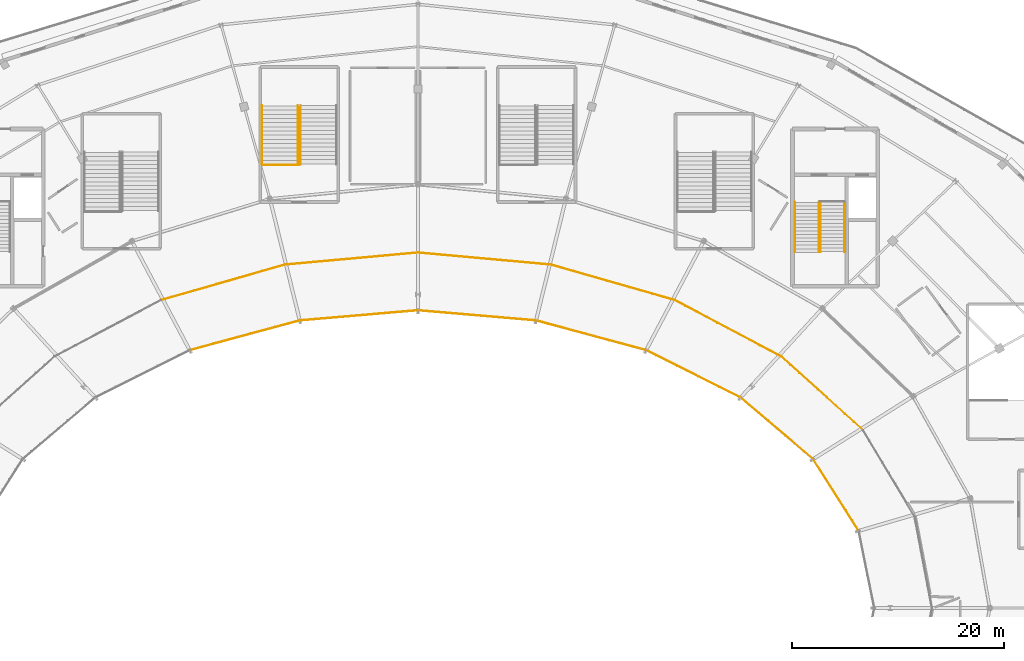
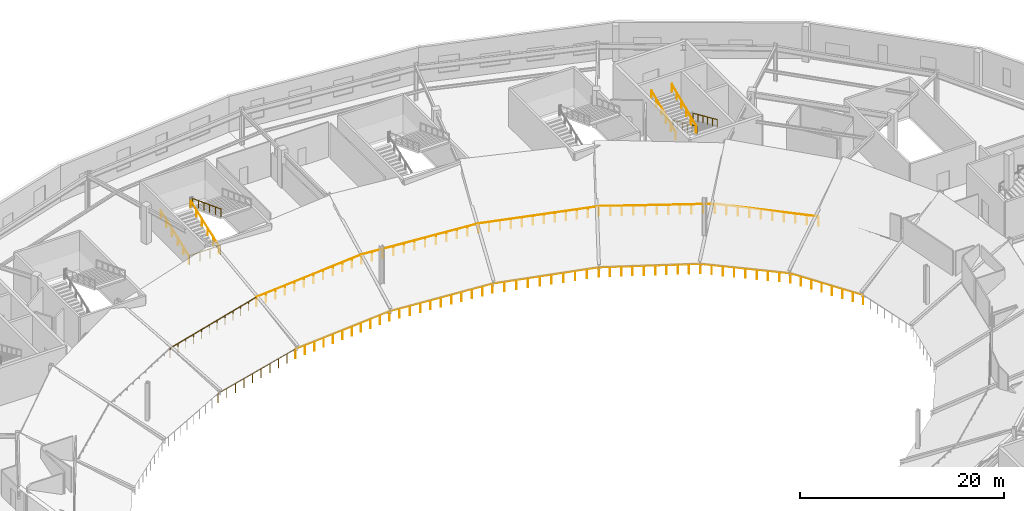
# One storey, part 56 of 63: 21 railings.
"""IFC4 building model written with IfcOpenShell, lengths in metres."""

from ifc_helpers import new_model, si_unit, direction, frame, origin, origin_2d, place, context, subcontext, project, spatial, circle, extrude, material, type_object, element, save


model = new_model("IFC4")

# Units and contexts
model_context = context("Model", 3, precision=1e-05, world=origin(), true_north=direction((0.0, 1.0)))
body_context = subcontext(model_context, "Body", "Model", "MODEL_VIEW")
ifc_project = project(units=[si_unit("LENGTHUNIT", "METRE"), si_unit("AREAUNIT", "SQUARE_METRE"), si_unit("VOLUMEUNIT", "CUBIC_METRE"), si_unit("PLANEANGLEUNIT", "RADIAN"), si_unit("MASSUNIT", "GRAM", prefix="KILO")], contexts=[model_context])

# Site, building, storey
site_placement = place(None, origin())
site = spatial("IfcSite", under=ifc_project, at=site_placement, CompositionType="ELEMENT")
building_placement = place(site_placement, origin())
building = spatial("IfcBuilding", under=site, at=building_placement, Name="Kalgoora Escarpment Arena", CompositionType="ELEMENT")
storey_placement = place(building_placement, frame((0.0, 0.0, 14.39990234375)))
storey = spatial("IfcBuildingStorey", under=building, at=storey_placement, Name="L03", CompositionType="ELEMENT", Elevation=14.39990234375)

# Railings
ifc_material_1 = material(Name="Galvanised & powdercoated tubular steel", Category="steel")
railing_type_1 = type_object("IfcRailingType", Name="RAL-GUARD-1120", PredefinedType="GUARDRAIL", material=ifc_material_1)
railing_1_placement = place(storey_placement, frame((77.7099609375, 105.81005859375, 0.0)))
element("IfcRailing", 1, at=railing_1_placement, inside=storey, type_object=railing_type_1, Name="ST10 L03 floor landing well guard", PredefinedType="GUARDRAIL", context=body_context, shape_type="SweptSolid", body=[
    extrude(circle(Radius=0.02392578125, at=origin_2d()), frame((0.0, 0.0, 1.09619140625), z_axis=(1.0, 0.0, 0.0), x_axis=(0.0, 1.0, 0.0)), (0.0, 0.0, 1.0), 3.489990234375),
    extrude(circle(Radius=0.02099609375, at=origin_2d()), origin(), (0.0, 0.0, 1.0), 1.072021484375),
    extrude(circle(Radius=0.02099609375, at=origin_2d()), frame((1.163330078125, 0.0, 0.0)), (0.0, 0.0, 1.0), 1.072021484375),
    extrude(circle(Radius=0.02099609375, at=origin_2d()), frame((2.32666015625, 0.0, 0.0)), (0.0, 0.0, 1.0), 1.072021484375),
    extrude(circle(Radius=0.02099609375, at=origin_2d()), frame((3.489990234375, 0.0, 0.0)), (0.0, 0.0, 1.0), 1.072021484375),
])
railing_2_placement = place(storey_placement, frame((134.445556640625, 80.77490234375, 0.0)))
element("IfcRailing", 2, at=railing_2_placement, inside=storey, type_object=railing_type_1, Name="L03 concourse bowl balustrade 03", PredefinedType="GUARDRAIL", context=body_context, shape_type="SweptSolid", body=[
    extrude(circle(Radius=0.02392578125, at=origin_2d()), frame((0.0, 0.0, 1.09619140625), z_axis=(-0.743080153263, 0.66920242515, 0.0), x_axis=(-0.66920242515, -0.743080153263, 0.0)), (0.0, 0.0, 1.0), 10.38330078125),
    extrude(circle(Radius=0.02099609375, at=origin_2d()), origin(), (0.0, 0.0, 1.0), 1.072021484375),
    extrude(circle(Radius=0.02099609375, at=origin_2d()), frame((-0.857177734375, 0.77197265625, 0.0)), (0.0, 0.0, 1.0), 1.072021484375),
    extrude(circle(Radius=0.02099609375, at=origin_2d()), frame((-1.714599609375, 1.544189453125, 0.0)), (0.0, 0.0, 1.0), 1.072021484375),
    extrude(circle(Radius=0.02099609375, at=origin_2d()), frame((-2.57177734375, 2.316162109375, 0.0)), (0.0, 0.0, 1.0), 1.072021484375),
    extrude(circle(Radius=0.02099609375, at=origin_2d()), frame((-3.42919921875, 3.088134765625, 0.0)), (0.0, 0.0, 1.0), 1.072021484375),
    extrude(circle(Radius=0.02099609375, at=origin_2d()), frame((-4.286376953125, 3.8603515625, 0.0)), (0.0, 0.0, 1.0), 1.072021484375),
    extrude(circle(Radius=0.02099609375, at=origin_2d()), frame((-5.143798828125, 4.63232421875, 0.0)), (0.0, 0.0, 1.0), 1.072021484375),
    extrude(circle(Radius=0.02099609375, at=origin_2d()), frame((-6.0009765625, 5.404296875, 0.0)), (0.0, 0.0, 1.0), 1.072021484375),
    extrude(circle(Radius=0.02099609375, at=origin_2d()), frame((-6.8583984375, 6.176513671875, 0.0)), (0.0, 0.0, 1.0), 1.072021484375),
    extrude(circle(Radius=0.02099609375, at=origin_2d()), frame((-7.715576171875, 6.948486328125, 0.0)), (0.0, 0.0, 1.0), 1.072021484375),
])
railing_3_placement = place(storey_placement, frame((126.72998046875, 87.723388671875, 0.0)))
element("IfcRailing", 3, at=railing_3_placement, inside=storey, type_object=railing_type_1, Name="L03 concourse bowl balustrade 04", PredefinedType="GUARDRAIL", context=body_context, shape_type="SweptSolid", body=[
    extrude(circle(Radius=0.02392578125, at=origin_2d()), frame((0.0, 0.0, 1.09619140625), z_axis=(-0.883475688989, 0.468477007936, 0.0), x_axis=(-0.468477007936, -0.883475688989, 0.0)), (0.0, 0.0, 1.0), 11.381103515625),
    extrude(circle(Radius=0.02099609375, at=origin_2d()), origin(), (0.0, 0.0, 1.0), 1.072021484375),
    extrude(circle(Radius=0.02099609375, at=origin_2d()), frame((-1.00537109375, 0.533203125, 0.0)), (0.0, 0.0, 1.0), 1.072021484375),
    extrude(circle(Radius=0.02099609375, at=origin_2d()), frame((-2.010986328125, 1.06640625, 0.0)), (0.0, 0.0, 1.0), 1.072021484375),
    extrude(circle(Radius=0.02099609375, at=origin_2d()), frame((-3.0166015625, 1.599609375, 0.0)), (0.0, 0.0, 1.0), 1.072021484375),
    extrude(circle(Radius=0.02099609375, at=origin_2d()), frame((-4.02197265625, 2.1328125, 0.0)), (0.0, 0.0, 1.0), 1.072021484375),
    extrude(circle(Radius=0.02099609375, at=origin_2d()), frame((-5.02734375, 2.666015625, 0.0)), (0.0, 0.0, 1.0), 1.072021484375),
    extrude(circle(Radius=0.02099609375, at=origin_2d()), frame((-6.032958984375, 3.198974609375, 0.0)), (0.0, 0.0, 1.0), 1.072021484375),
    extrude(circle(Radius=0.02099609375, at=origin_2d()), frame((-7.038330078125, 3.732177734375, 0.0)), (0.0, 0.0, 1.0), 1.072021484375),
    extrude(circle(Radius=0.02099609375, at=origin_2d()), frame((-8.0439453125, 4.265380859375, 0.0)), (0.0, 0.0, 1.0), 1.072021484375),
    extrude(circle(Radius=0.02099609375, at=origin_2d()), frame((-9.04931640625, 4.798583984375, 0.0)), (0.0, 0.0, 1.0), 1.072021484375),
    extrude(circle(Radius=0.02099609375, at=origin_2d()), frame((-10.054931640625, 5.331787109375, 0.0)), (0.0, 0.0, 1.0), 1.072021484375),
])
railing_4_placement = place(storey_placement, frame((116.675048828125, 93.05517578125, 0.0)))
element("IfcRailing", 4, at=railing_4_placement, inside=storey, type_object=railing_type_1, Name="L03 concourse bowl balustrade 05", PredefinedType="GUARDRAIL", context=body_context, shape_type="SweptSolid", body=[
    extrude(circle(Radius=0.02392578125, at=origin_2d()), frame((0.0, 0.0, 1.09619140625), z_axis=(-0.96139221915, 0.275181759857, 0.0), x_axis=(-0.275181759857, -0.96139221915, 0.0)), (0.0, 0.0, 1.0), 12.179443359375),
    extrude(circle(Radius=0.02099609375, at=origin_2d()), origin(), (0.0, 0.0, 1.0), 1.072021484375),
    extrude(circle(Radius=0.02099609375, at=origin_2d()), frame((-1.064453125, 0.3046875, 0.0)), (0.0, 0.0, 1.0), 1.072021484375),
    extrude(circle(Radius=0.02099609375, at=origin_2d()), frame((-2.12890625, 0.609375, 0.0)), (0.0, 0.0, 1.0), 1.072021484375),
    extrude(circle(Radius=0.02099609375, at=origin_2d()), frame((-3.193359375, 0.9140625, 0.0)), (0.0, 0.0, 1.0), 1.072021484375),
    extrude(circle(Radius=0.02099609375, at=origin_2d()), frame((-4.2578125, 1.21875, 0.0)), (0.0, 0.0, 1.0), 1.072021484375),
    extrude(circle(Radius=0.02099609375, at=origin_2d()), frame((-5.322265625, 1.5234375, 0.0)), (0.0, 0.0, 1.0), 1.072021484375),
    extrude(circle(Radius=0.02099609375, at=origin_2d()), frame((-6.386962890625, 1.828125, 0.0)), (0.0, 0.0, 1.0), 1.072021484375),
    extrude(circle(Radius=0.02099609375, at=origin_2d()), frame((-7.451416015625, 2.1328125, 0.0)), (0.0, 0.0, 1.0), 1.072021484375),
    extrude(circle(Radius=0.02099609375, at=origin_2d()), frame((-8.515869140625, 2.4375, 0.0)), (0.0, 0.0, 1.0), 1.072021484375),
    extrude(circle(Radius=0.02099609375, at=origin_2d()), frame((-9.580322265625, 2.7421875, 0.0)), (0.0, 0.0, 1.0), 1.072021484375),
    extrude(circle(Radius=0.02099609375, at=origin_2d()), frame((-10.644775390625, 3.046875, 0.0)), (0.0, 0.0, 1.0), 1.072021484375),
    extrude(circle(Radius=0.02099609375, at=origin_2d()), frame((-11.709228515625, 3.3515625, 0.0)), (0.0, 0.0, 1.0), 1.072021484375),
])
railing_5_placement = place(storey_placement, frame((104.9658203125, 96.40673828125, 0.0)))
element("IfcRailing", 5, at=railing_5_placement, inside=storey, type_object=railing_type_1, Name="L03 concourse bowl balustrade 06", PredefinedType="GUARDRAIL", context=body_context, shape_type="SweptSolid", body=[
    extrude(circle(Radius=0.02392578125, at=origin_2d()), frame((0.0, 0.0, 1.09619140625), z_axis=(-0.995886383958, 0.09061076231, 0.0), x_axis=(-0.09061076231, -0.995886383958, 0.0)), (0.0, 0.0, 1.0), 12.617919921875),
    extrude(circle(Radius=0.02099609375, at=origin_2d()), origin(), (0.0, 0.0, 1.0), 1.072021484375),
    extrude(circle(Radius=0.02099609375, at=origin_2d()), frame((-1.142333984375, 0.10400390625, 0.0)), (0.0, 0.0, 1.0), 1.072021484375),
    extrude(circle(Radius=0.02099609375, at=origin_2d()), frame((-2.28466796875, 0.207763671875, 0.0)), (0.0, 0.0, 1.0), 1.072021484375),
    extrude(circle(Radius=0.02099609375, at=origin_2d()), frame((-3.427001953125, 0.311767578125, 0.0)), (0.0, 0.0, 1.0), 1.072021484375),
    extrude(circle(Radius=0.02099609375, at=origin_2d()), frame((-4.5693359375, 0.415771484375, 0.0)), (0.0, 0.0, 1.0), 1.072021484375),
    extrude(circle(Radius=0.02099609375, at=origin_2d()), frame((-5.711669921875, 0.519775390625, 0.0)), (0.0, 0.0, 1.0), 1.072021484375),
    extrude(circle(Radius=0.02099609375, at=origin_2d()), frame((-6.854248046875, 0.62353515625, 0.0)), (0.0, 0.0, 1.0), 1.072021484375),
    extrude(circle(Radius=0.02099609375, at=origin_2d()), frame((-7.99658203125, 0.7275390625, 0.0)), (0.0, 0.0, 1.0), 1.072021484375),
    extrude(circle(Radius=0.02099609375, at=origin_2d()), frame((-9.138916015625, 0.83154296875, 0.0)), (0.0, 0.0, 1.0), 1.072021484375),
    extrude(circle(Radius=0.02099609375, at=origin_2d()), frame((-10.28125, 0.935546875, 0.0)), (0.0, 0.0, 1.0), 1.072021484375),
    extrude(circle(Radius=0.02099609375, at=origin_2d()), frame((-11.423583984375, 1.039306640625, 0.0)), (0.0, 0.0, 1.0), 1.072021484375),
    extrude(circle(Radius=0.02099609375, at=origin_2d()), frame((-12.56591796875, 1.143310546875, 0.0)), (0.0, 0.0, 1.0), 1.072021484375),
])
railing_6_placement = place(storey_placement, frame((92.39990234375, 97.550048828125, 0.0)))
element("IfcRailing", 6, at=railing_6_placement, inside=storey, type_object=railing_type_1, Name="L03 concourse bowl balustrade 07", PredefinedType="GUARDRAIL", context=body_context, shape_type="SweptSolid", body=[
    extrude(circle(Radius=0.02392578125, at=origin_2d()), frame((0.0, 0.0, 1.09619140625), z_axis=(-0.995886225094, -0.090612508347, 0.0), x_axis=(0.090612508347, -0.995886225094, 0.0)), (0.0, 0.0, 1.0), 12.61767578125),
    extrude(circle(Radius=0.02099609375, at=origin_2d()), origin(), (0.0, 0.0, 1.0), 1.072021484375),
    extrude(circle(Radius=0.02099609375, at=origin_2d()), frame((-1.142333984375, -0.10400390625, 0.0)), (0.0, 0.0, 1.0), 1.072021484375),
    extrude(circle(Radius=0.02099609375, at=origin_2d()), frame((-2.28466796875, -0.207763671875, 0.0)), (0.0, 0.0, 1.0), 1.072021484375),
    extrude(circle(Radius=0.02099609375, at=origin_2d()), frame((-3.427001953125, -0.311767578125, 0.0)), (0.0, 0.0, 1.0), 1.072021484375),
    extrude(circle(Radius=0.02099609375, at=origin_2d()), frame((-4.5693359375, -0.415771484375, 0.0)), (0.0, 0.0, 1.0), 1.072021484375),
    extrude(circle(Radius=0.02099609375, at=origin_2d()), frame((-5.711669921875, -0.519775390625, 0.0)), (0.0, 0.0, 1.0), 1.072021484375),
    extrude(circle(Radius=0.02099609375, at=origin_2d()), frame((-6.85400390625, -0.62353515625, 0.0)), (0.0, 0.0, 1.0), 1.072021484375),
    extrude(circle(Radius=0.02099609375, at=origin_2d()), frame((-7.996337890625, -0.7275390625, 0.0)), (0.0, 0.0, 1.0), 1.072021484375),
    extrude(circle(Radius=0.02099609375, at=origin_2d()), frame((-9.138671875, -0.83154296875, 0.0)), (0.0, 0.0, 1.0), 1.072021484375),
    extrude(circle(Radius=0.02099609375, at=origin_2d()), frame((-10.281005859375, -0.935546875, 0.0)), (0.0, 0.0, 1.0), 1.072021484375),
    extrude(circle(Radius=0.02099609375, at=origin_2d()), frame((-11.42333984375, -1.039306640625, 0.0)), (0.0, 0.0, 1.0), 1.072021484375),
    extrude(circle(Radius=0.02099609375, at=origin_2d()), frame((-12.565673828125, -1.143310546875, 0.0)), (0.0, 0.0, 1.0), 1.072021484375),
])
railing_7_placement = place(storey_placement, frame((79.834228515625, 96.40673828125, 0.0)))
element("IfcRailing", 7, at=railing_7_placement, inside=storey, type_object=railing_type_1, Name="L03 concourse bowl balustrade 08", PredefinedType="GUARDRAIL", context=body_context, shape_type="SweptSolid", body=[
    extrude(circle(Radius=0.02392578125, at=origin_2d()), frame((0.0, 0.0, 1.09619140625), z_axis=(-0.96139221915, -0.275181759857, 0.0), x_axis=(0.275181759857, -0.96139221915, 0.0)), (0.0, 0.0, 1.0), 12.179443359375),
    extrude(circle(Radius=0.02099609375, at=origin_2d()), origin(), (0.0, 0.0, 1.0), 1.072021484375),
    extrude(circle(Radius=0.02099609375, at=origin_2d()), frame((-1.064453125, -0.3046875, 0.0)), (0.0, 0.0, 1.0), 1.072021484375),
    extrude(circle(Radius=0.02099609375, at=origin_2d()), frame((-2.12890625, -0.609375, 0.0)), (0.0, 0.0, 1.0), 1.072021484375),
    extrude(circle(Radius=0.02099609375, at=origin_2d()), frame((-3.193359375, -0.9140625, 0.0)), (0.0, 0.0, 1.0), 1.072021484375),
    extrude(circle(Radius=0.02099609375, at=origin_2d()), frame((-4.2578125, -1.21875, 0.0)), (0.0, 0.0, 1.0), 1.072021484375),
    extrude(circle(Radius=0.02099609375, at=origin_2d()), frame((-5.322265625, -1.5234375, 0.0)), (0.0, 0.0, 1.0), 1.072021484375),
    extrude(circle(Radius=0.02099609375, at=origin_2d()), frame((-6.386962890625, -1.828125, 0.0)), (0.0, 0.0, 1.0), 1.072021484375),
    extrude(circle(Radius=0.02099609375, at=origin_2d()), frame((-7.451416015625, -2.1328125, 0.0)), (0.0, 0.0, 1.0), 1.072021484375),
    extrude(circle(Radius=0.02099609375, at=origin_2d()), frame((-8.515869140625, -2.4375, 0.0)), (0.0, 0.0, 1.0), 1.072021484375),
    extrude(circle(Radius=0.02099609375, at=origin_2d()), frame((-9.580322265625, -2.7421875, 0.0)), (0.0, 0.0, 1.0), 1.072021484375),
    extrude(circle(Radius=0.02099609375, at=origin_2d()), frame((-10.644775390625, -3.046875, 0.0)), (0.0, 0.0, 1.0), 1.072021484375),
    extrude(circle(Radius=0.02099609375, at=origin_2d()), frame((-11.709228515625, -3.3515625, 0.0)), (0.0, 0.0, 1.0), 1.072021484375),
])
railing_8_placement = place(storey_placement, frame((134.031494140625, 71.272705078125, -3.5)))
element("IfcRailing", 8, at=railing_8_placement, inside=storey, type_object=railing_type_1, Name="Upper tier cantilevered front guard 02", PredefinedType="GUARDRAIL", context=body_context, shape_type="SweptSolid", body=[
    extrude(circle(Radius=0.02392578125, at=origin_2d()), frame((0.0, 0.0, 1.09619140625), z_axis=(-0.536259550961, 0.844053134585, 0.0), x_axis=(-0.844053134585, -0.536259550961, 0.0)), (0.0, 0.0, 1.0), 8.029541015625),
    extrude(circle(Radius=0.02099609375, at=origin_2d()), origin(), (0.0, 0.0, 1.0), 1.072021484375),
    extrude(circle(Radius=0.02099609375, at=origin_2d()), frame((-0.615234375, 0.96826171875, 0.0)), (0.0, 0.0, 1.0), 1.072021484375),
    extrude(circle(Radius=0.02099609375, at=origin_2d()), frame((-1.230224609375, 1.936279296875, 0.0)), (0.0, 0.0, 1.0), 1.072021484375),
    extrude(circle(Radius=0.02099609375, at=origin_2d()), frame((-1.845458984375, 2.904541015625, 0.0)), (0.0, 0.0, 1.0), 1.072021484375),
    extrude(circle(Radius=0.02099609375, at=origin_2d()), frame((-2.46044921875, 3.872802734375, 0.0)), (0.0, 0.0, 1.0), 1.072021484375),
    extrude(circle(Radius=0.02099609375, at=origin_2d()), frame((-3.07568359375, 4.841064453125, 0.0)), (0.0, 0.0, 1.0), 1.072021484375),
    extrude(circle(Radius=0.02099609375, at=origin_2d()), frame((-3.690673828125, 5.80908203125, 0.0)), (0.0, 0.0, 1.0), 1.072021484375),
    extrude(circle(Radius=0.02099609375, at=origin_2d()), frame((-4.305908203125, 6.77734375, 0.0)), (0.0, 0.0, 1.0), 1.072021484375),
])
railing_9_placement = place(storey_placement, frame((129.7255859375, 78.050048828125, -3.5)))
element("IfcRailing", 9, at=railing_9_placement, inside=storey, type_object=railing_type_1, Name="Upper tier cantilevered front guard 03", PredefinedType="GUARDRAIL", context=body_context, shape_type="SweptSolid", body=[
    extrude(circle(Radius=0.02392578125, at=origin_2d()), frame((0.0, 0.0, 1.09619140625), z_axis=(-0.762069994215, 0.647494651652, 0.0), x_axis=(-0.647494651652, -0.762069994215, 0.0)), (0.0, 0.0, 1.0), 8.98779296875),
    extrude(circle(Radius=0.02099609375, at=origin_2d()), origin(), (0.0, 0.0, 1.0), 1.072021484375),
    extrude(circle(Radius=0.02099609375, at=origin_2d()), frame((-0.856201171875, 0.7275390625, 0.0)), (0.0, 0.0, 1.0), 1.072021484375),
    extrude(circle(Radius=0.02099609375, at=origin_2d()), frame((-1.71240234375, 1.454833984375, 0.0)), (0.0, 0.0, 1.0), 1.072021484375),
    extrude(circle(Radius=0.02099609375, at=origin_2d()), frame((-2.568603515625, 2.182373046875, 0.0)), (0.0, 0.0, 1.0), 1.072021484375),
    extrude(circle(Radius=0.02099609375, at=origin_2d()), frame((-3.4248046875, 2.90966796875, 0.0)), (0.0, 0.0, 1.0), 1.072021484375),
    extrude(circle(Radius=0.02099609375, at=origin_2d()), frame((-4.28076171875, 3.63720703125, 0.0)), (0.0, 0.0, 1.0), 1.072021484375),
    extrude(circle(Radius=0.02099609375, at=origin_2d()), frame((-5.136962890625, 4.36474609375, 0.0)), (0.0, 0.0, 1.0), 1.072021484375),
    extrude(circle(Radius=0.02099609375, at=origin_2d()), frame((-5.9931640625, 5.092041015625, 0.0)), (0.0, 0.0, 1.0), 1.072021484375),
    extrude(circle(Radius=0.02099609375, at=origin_2d()), frame((-6.849365234375, 5.819580078125, 0.0)), (0.0, 0.0, 1.0), 1.072021484375),
])
railing_10_placement = place(storey_placement, frame((122.876220703125, 83.86962890625, -3.5)))
element("IfcRailing", 10, at=railing_10_placement, inside=storey, type_object=railing_type_1, Name="Upper tier cantilevered front guard 04", PredefinedType="GUARDRAIL", context=body_context, shape_type="SweptSolid", body=[
    extrude(circle(Radius=0.02392578125, at=origin_2d()), frame((0.0, 0.0, 1.09619140625), z_axis=(-0.894329327099, 0.447409269787, 0.0), x_axis=(-0.447409269787, -0.894329327099, 0.0)), (0.0, 0.0, 1.0), 9.98095703125),
    extrude(circle(Radius=0.02099609375, at=origin_2d()), origin(), (0.0, 0.0, 1.0), 1.072021484375),
    extrude(circle(Radius=0.02099609375, at=origin_2d()), frame((-0.99169921875, 0.49609375, 0.0)), (0.0, 0.0, 1.0), 1.072021484375),
    extrude(circle(Radius=0.02099609375, at=origin_2d()), frame((-1.983642578125, 0.992431640625, 0.0)), (0.0, 0.0, 1.0), 1.072021484375),
    extrude(circle(Radius=0.02099609375, at=origin_2d()), frame((-2.975341796875, 1.488525390625, 0.0)), (0.0, 0.0, 1.0), 1.072021484375),
    extrude(circle(Radius=0.02099609375, at=origin_2d()), frame((-3.96728515625, 1.984619140625, 0.0)), (0.0, 0.0, 1.0), 1.072021484375),
    extrude(circle(Radius=0.02099609375, at=origin_2d()), frame((-4.958984375, 2.48095703125, 0.0)), (0.0, 0.0, 1.0), 1.072021484375),
    extrude(circle(Radius=0.02099609375, at=origin_2d()), frame((-5.950927734375, 2.97705078125, 0.0)), (0.0, 0.0, 1.0), 1.072021484375),
    extrude(circle(Radius=0.02099609375, at=origin_2d()), frame((-6.942626953125, 3.47314453125, 0.0)), (0.0, 0.0, 1.0), 1.072021484375),
    extrude(circle(Radius=0.02099609375, at=origin_2d()), frame((-7.9345703125, 3.969482421875, 0.0)), (0.0, 0.0, 1.0), 1.072021484375),
    extrude(circle(Radius=0.02099609375, at=origin_2d()), frame((-8.92626953125, 4.465576171875, 0.0)), (0.0, 0.0, 1.0), 1.072021484375),
])
railing_11_placement = place(storey_placement, frame((113.949951171875, 88.335205078125, -3.5)))
element("IfcRailing", 11, at=railing_11_placement, inside=storey, type_object=railing_type_1, Name="Upper tier cantilevered front guard 05", PredefinedType="GUARDRAIL", context=body_context, shape_type="SweptSolid", body=[
    extrude(circle(Radius=0.02392578125, at=origin_2d()), frame((0.0, 0.0, 1.09619140625), z_axis=(-0.9654107635, 0.260733691183, 0.0), x_axis=(-0.260733691183, -0.9654107635, 0.0)), (0.0, 0.0, 1.0), 10.76708984375),
    extrude(circle(Radius=0.02099609375, at=origin_2d()), origin(), (0.0, 0.0, 1.0), 1.072021484375),
    extrude(circle(Radius=0.02099609375, at=origin_2d()), frame((-1.155029296875, 0.31201171875, 0.0)), (0.0, 0.0, 1.0), 1.072021484375),
    extrude(circle(Radius=0.02099609375, at=origin_2d()), frame((-2.31005859375, 0.623779296875, 0.0)), (0.0, 0.0, 1.0), 1.072021484375),
    extrude(circle(Radius=0.02099609375, at=origin_2d()), frame((-3.46484375, 0.935791015625, 0.0)), (0.0, 0.0, 1.0), 1.072021484375),
    extrude(circle(Radius=0.02099609375, at=origin_2d()), frame((-4.619873046875, 1.247802734375, 0.0)), (0.0, 0.0, 1.0), 1.072021484375),
    extrude(circle(Radius=0.02099609375, at=origin_2d()), frame((-5.77490234375, 1.5595703125, 0.0)), (0.0, 0.0, 1.0), 1.072021484375),
    extrude(circle(Radius=0.02099609375, at=origin_2d()), frame((-6.929931640625, 1.87158203125, 0.0)), (0.0, 0.0, 1.0), 1.072021484375),
    extrude(circle(Radius=0.02099609375, at=origin_2d()), frame((-8.084716796875, 2.18359375, 0.0)), (0.0, 0.0, 1.0), 1.072021484375),
    extrude(circle(Radius=0.02099609375, at=origin_2d()), frame((-9.23974609375, 2.495361328125, 0.0)), (0.0, 0.0, 1.0), 1.072021484375),
    extrude(circle(Radius=0.02099609375, at=origin_2d()), frame((-10.394775390625, 2.807373046875, 0.0)), (0.0, 0.0, 1.0), 1.072021484375),
])
railing_12_placement = place(storey_placement, frame((103.55517578125, 91.142578125, -3.5)))
element("IfcRailing", 12, at=railing_12_placement, inside=storey, type_object=railing_type_1, Name="Upper tier cantilevered front guard 06", PredefinedType="GUARDRAIL", context=body_context, shape_type="SweptSolid", body=[
    extrude(circle(Radius=0.02392578125, at=origin_2d()), frame((0.0, 0.0, 1.09619140625), z_axis=(-0.996336357543, 0.085521123923, 0.0), x_axis=(-0.085521123923, -0.996336357543, 0.0)), (0.0, 0.0, 1.0), 11.1962890625),
    extrude(circle(Radius=0.02099609375, at=origin_2d()), origin(), (0.0, 0.0, 1.0), 1.072021484375),
    extrude(circle(Radius=0.02099609375, at=origin_2d()), frame((-1.115478515625, 0.095703125, 0.0)), (0.0, 0.0, 1.0), 1.072021484375),
    extrude(circle(Radius=0.02099609375, at=origin_2d()), frame((-2.23095703125, 0.19140625, 0.0)), (0.0, 0.0, 1.0), 1.072021484375),
    extrude(circle(Radius=0.02099609375, at=origin_2d()), frame((-3.3466796875, 0.287353515625, 0.0)), (0.0, 0.0, 1.0), 1.072021484375),
    extrude(circle(Radius=0.02099609375, at=origin_2d()), frame((-4.462158203125, 0.383056640625, 0.0)), (0.0, 0.0, 1.0), 1.072021484375),
    extrude(circle(Radius=0.02099609375, at=origin_2d()), frame((-5.57763671875, 0.478759765625, 0.0)), (0.0, 0.0, 1.0), 1.072021484375),
    extrude(circle(Radius=0.02099609375, at=origin_2d()), frame((-6.693115234375, 0.574462890625, 0.0)), (0.0, 0.0, 1.0), 1.072021484375),
    extrude(circle(Radius=0.02099609375, at=origin_2d()), frame((-7.80859375, 0.670166015625, 0.0)), (0.0, 0.0, 1.0), 1.072021484375),
    extrude(circle(Radius=0.02099609375, at=origin_2d()), frame((-8.92431640625, 0.76611328125, 0.0)), (0.0, 0.0, 1.0), 1.072021484375),
    extrude(circle(Radius=0.02099609375, at=origin_2d()), frame((-10.039794921875, 0.86181640625, 0.0)), (0.0, 0.0, 1.0), 1.072021484375),
    extrude(circle(Radius=0.02099609375, at=origin_2d()), frame((-11.1552734375, 0.95751953125, 0.0)), (0.0, 0.0, 1.0), 1.072021484375),
])
railing_13_placement = place(storey_placement, frame((92.39990234375, 92.10009765625, -3.5)))
element("IfcRailing", 13, at=railing_13_placement, inside=storey, type_object=railing_type_1, Name="Upper tier cantilevered front guard 07", PredefinedType="GUARDRAIL", context=body_context, shape_type="SweptSolid", body=[
    extrude(circle(Radius=0.02392578125, at=origin_2d()), frame((0.0, 0.0, 1.09619140625), z_axis=(-0.996336198056, -0.085522981961, 0.0), x_axis=(0.085522981961, -0.996336198056, 0.0)), (0.0, 0.0, 1.0), 11.196044921875),
    extrude(circle(Radius=0.02099609375, at=origin_2d()), origin(), (0.0, 0.0, 1.0), 1.072021484375),
    extrude(circle(Radius=0.02099609375, at=origin_2d()), frame((-1.115478515625, -0.095703125, 0.0)), (0.0, 0.0, 1.0), 1.072021484375),
    extrude(circle(Radius=0.02099609375, at=origin_2d()), frame((-2.23095703125, -0.19140625, 0.0)), (0.0, 0.0, 1.0), 1.072021484375),
    extrude(circle(Radius=0.02099609375, at=origin_2d()), frame((-3.346435546875, -0.287353515625, 0.0)), (0.0, 0.0, 1.0), 1.072021484375),
    extrude(circle(Radius=0.02099609375, at=origin_2d()), frame((-4.4619140625, -0.383056640625, 0.0)), (0.0, 0.0, 1.0), 1.072021484375),
    extrude(circle(Radius=0.02099609375, at=origin_2d()), frame((-5.57763671875, -0.478759765625, 0.0)), (0.0, 0.0, 1.0), 1.072021484375),
    extrude(circle(Radius=0.02099609375, at=origin_2d()), frame((-6.693115234375, -0.574462890625, 0.0)), (0.0, 0.0, 1.0), 1.072021484375),
    extrude(circle(Radius=0.02099609375, at=origin_2d()), frame((-7.80859375, -0.670166015625, 0.0)), (0.0, 0.0, 1.0), 1.072021484375),
    extrude(circle(Radius=0.02099609375, at=origin_2d()), frame((-8.924072265625, -0.76611328125, 0.0)), (0.0, 0.0, 1.0), 1.072021484375),
    extrude(circle(Radius=0.02099609375, at=origin_2d()), frame((-10.03955078125, -0.86181640625, 0.0)), (0.0, 0.0, 1.0), 1.072021484375),
    extrude(circle(Radius=0.02099609375, at=origin_2d()), frame((-11.155029296875, -0.95751953125, 0.0)), (0.0, 0.0, 1.0), 1.072021484375),
])
railing_14_placement = place(storey_placement, frame((81.244873046875, 91.142578125, -3.5)))
element("IfcRailing", 14, at=railing_14_placement, inside=storey, type_object=railing_type_1, Name="Upper tier cantilevered front guard 08", PredefinedType="GUARDRAIL", context=body_context, shape_type="SweptSolid", body=[
    extrude(circle(Radius=0.02392578125, at=origin_2d()), frame((0.0, 0.0, 1.09619140625), z_axis=(-0.9654107635, -0.260733691183, 0.0), x_axis=(0.260733691183, -0.9654107635, 0.0)), (0.0, 0.0, 1.0), 10.76708984375),
    extrude(circle(Radius=0.02099609375, at=origin_2d()), origin(), (0.0, 0.0, 1.0), 1.072021484375),
    extrude(circle(Radius=0.02099609375, at=origin_2d()), frame((-1.155029296875, -0.31201171875, 0.0)), (0.0, 0.0, 1.0), 1.072021484375),
    extrude(circle(Radius=0.02099609375, at=origin_2d()), frame((-2.31005859375, -0.623779296875, 0.0)), (0.0, 0.0, 1.0), 1.072021484375),
    extrude(circle(Radius=0.02099609375, at=origin_2d()), frame((-3.46484375, -0.935791015625, 0.0)), (0.0, 0.0, 1.0), 1.072021484375),
    extrude(circle(Radius=0.02099609375, at=origin_2d()), frame((-4.619873046875, -1.247802734375, 0.0)), (0.0, 0.0, 1.0), 1.072021484375),
    extrude(circle(Radius=0.02099609375, at=origin_2d()), frame((-5.77490234375, -1.5595703125, 0.0)), (0.0, 0.0, 1.0), 1.072021484375),
    extrude(circle(Radius=0.02099609375, at=origin_2d()), frame((-6.929931640625, -1.87158203125, 0.0)), (0.0, 0.0, 1.0), 1.072021484375),
    extrude(circle(Radius=0.02099609375, at=origin_2d()), frame((-8.084716796875, -2.18359375, 0.0)), (0.0, 0.0, 1.0), 1.072021484375),
    extrude(circle(Radius=0.02099609375, at=origin_2d()), frame((-9.23974609375, -2.495361328125, 0.0)), (0.0, 0.0, 1.0), 1.072021484375),
    extrude(circle(Radius=0.02099609375, at=origin_2d()), frame((-10.394775390625, -2.807373046875, 0.0)), (0.0, 0.0, 1.0), 1.072021484375),
])
ifc_material_2 = material(Name="Brushed stainless steel 316 handrail", Category="steel")
railing_type_2 = type_object("IfcRailingType", Name="RAL-HAND-920", PredefinedType="HANDRAIL", material=ifc_material_2)
for number, where, name in (
    (15, (132.699951171875, 102.31005859375, 0.110107421875), "ST04 L03 pitched stair handrail F1L"),
    (16, (130.405029296875, 102.31005859375, 0.110107421875), "ST04 L03 pitched stair handrail F1R"),
):
    element("IfcRailing", number, at=place(storey_placement, frame(where)), inside=storey, type_object=railing_type_2, Name=name, PredefinedType="HANDRAIL", context=body_context, shape_type="SweptSolid", body=[
        extrude(circle(Radius=0.02392578125, at=origin_2d()), frame((0.0, 0.0, 0.89599609375), z_axis=(0.0, -0.913643874524, 0.406515523129), x_axis=(1.0, 0.0, 0.0)), (0.0, 0.0, 1.0), 5.166015625),
        extrude(circle(Radius=0.02099609375, at=origin_2d()), origin(), (0.0, 0.0, 1.0), 0.871826171875),
        extrude(circle(Radius=0.02099609375, at=origin_2d()), frame((0.0, -0.944091796875, 0.419921875)), (0.0, 0.0, 1.0), 0.871826171875),
        extrude(circle(Radius=0.02099609375, at=origin_2d()), frame((0.0, -1.887939453125, 0.840087890625)), (0.0, 0.0, 1.0), 0.871826171875),
        extrude(circle(Radius=0.02099609375, at=origin_2d()), frame((0.0, -2.83203125, 1.260009765625)), (0.0, 0.0, 1.0), 0.871826171875),
        extrude(circle(Radius=0.02099609375, at=origin_2d()), frame((0.0, -3.77587890625, 1.68017578125)), (0.0, 0.0, 1.0), 0.871826171875),
        extrude(circle(Radius=0.02099609375, at=origin_2d()), frame((0.0, -4.719970703125, 2.10009765625)), (0.0, 0.0, 1.0), 0.871826171875),
    ])
for number, where, name in (
    (17, (130.294921875, 97.590087890625, 2.360107421875), "ST04 L03 pitched stair handrail F2L"),
    (18, (128.0, 97.590087890625, 2.360107421875), "ST04 L03 pitched stair handrail F2R"),
):
    element("IfcRailing", number, at=place(storey_placement, frame(where)), inside=storey, type_object=railing_type_2, Name=name, PredefinedType="HANDRAIL", context=body_context, shape_type="SweptSolid", body=[
        extrude(circle(Radius=0.02392578125, at=origin_2d()), frame((0.0, 0.0, 0.89599609375), z_axis=(0.0, 0.913643874524, 0.406515523129), x_axis=(-1.0, 0.0, 0.0)), (0.0, 0.0, 1.0), 5.166015625),
        extrude(circle(Radius=0.02099609375, at=origin_2d()), origin(), (0.0, 0.0, 1.0), 0.871826171875),
        extrude(circle(Radius=0.02099609375, at=origin_2d()), frame((0.0, 0.944091796875, 0.419921875)), (0.0, 0.0, 1.0), 0.871826171875),
        extrude(circle(Radius=0.02099609375, at=origin_2d()), frame((0.0, 1.887939453125, 0.840087890625)), (0.0, 0.0, 1.0), 0.871826171875),
        extrude(circle(Radius=0.02099609375, at=origin_2d()), frame((0.0, 2.83203125, 1.260009765625)), (0.0, 0.0, 1.0), 0.871826171875),
        extrude(circle(Radius=0.02099609375, at=origin_2d()), frame((0.0, 3.77587890625, 1.68017578125)), (0.0, 0.0, 1.0), 0.871826171875),
        extrude(circle(Radius=0.02099609375, at=origin_2d()), frame((0.0, 4.719970703125, 2.10009765625)), (0.0, 0.0, 1.0), 0.871826171875),
    ])
for number, where, name in (
    (19, (77.699951171875, 105.889892578125, 0.110107421875), "ST10 L03 pitched stair handrail F1L"),
    (20, (81.090087890625, 105.889892578125, 0.110107421875), "ST10 L03 pitched stair handrail F1R"),
):
    element("IfcRailing", number, at=place(storey_placement, frame(where)), inside=storey, type_object=railing_type_2, Name=name, PredefinedType="HANDRAIL", context=body_context, shape_type="SweptSolid", body=[
        extrude(circle(Radius=0.02392578125, at=origin_2d()), frame((0.0, 0.0, 0.89599609375), z_axis=(0.0, 0.935492612948, 0.353346248203), x_axis=(-1.0, 0.0, 0.0)), (0.0, 0.0, 1.0), 5.943359375),
        extrude(circle(Radius=0.02099609375, at=origin_2d()), origin(), (0.0, 0.0, 1.0), 0.871826171875),
        extrude(circle(Radius=0.02099609375, at=origin_2d()), frame((0.0, 1.112060546875, 0.419921875)), (0.0, 0.0, 1.0), 0.871826171875),
        extrude(circle(Radius=0.02099609375, at=origin_2d()), frame((0.0, 2.22412109375, 0.840087890625)), (0.0, 0.0, 1.0), 0.871826171875),
        extrude(circle(Radius=0.02099609375, at=origin_2d()), frame((0.0, 3.3359375, 1.260009765625)), (0.0, 0.0, 1.0), 0.871826171875),
        extrude(circle(Radius=0.02099609375, at=origin_2d()), frame((0.0, 4.447998046875, 1.68017578125)), (0.0, 0.0, 1.0), 0.871826171875),
        extrude(circle(Radius=0.02099609375, at=origin_2d()), frame((0.0, 5.56005859375, 2.10009765625)), (0.0, 0.0, 1.0), 0.871826171875),
    ])
railing_15_placement = place(storey_placement, frame((81.31005859375, 111.449951171875, 2.360107421875)))
element("IfcRailing", 21, at=railing_15_placement, inside=storey, type_object=railing_type_2, Name="ST10 L03 pitched stair handrail F2L", PredefinedType="HANDRAIL", context=body_context, shape_type="SweptSolid", body=[
    extrude(circle(Radius=0.02392578125, at=origin_2d()), frame((0.0, 0.0, 0.89599609375), z_axis=(0.0, -0.935492612948, 0.353346248203), x_axis=(1.0, 0.0, 0.0)), (0.0, 0.0, 1.0), 5.943359375),
    extrude(circle(Radius=0.02099609375, at=origin_2d()), origin(), (0.0, 0.0, 1.0), 0.871826171875),
    extrude(circle(Radius=0.02099609375, at=origin_2d()), frame((0.0, -1.112060546875, 0.419921875)), (0.0, 0.0, 1.0), 0.871826171875),
    extrude(circle(Radius=0.02099609375, at=origin_2d()), frame((0.0, -2.22412109375, 0.840087890625)), (0.0, 0.0, 1.0), 0.871826171875),
    extrude(circle(Radius=0.02099609375, at=origin_2d()), frame((0.0, -3.3359375, 1.260009765625)), (0.0, 0.0, 1.0), 0.871826171875),
    extrude(circle(Radius=0.02099609375, at=origin_2d()), frame((0.0, -4.447998046875, 1.68017578125)), (0.0, 0.0, 1.0), 0.871826171875),
    extrude(circle(Radius=0.02099609375, at=origin_2d()), frame((0.0, -5.56005859375, 2.10009765625)), (0.0, 0.0, 1.0), 0.871826171875),
])

save(model, "model.ifc")
